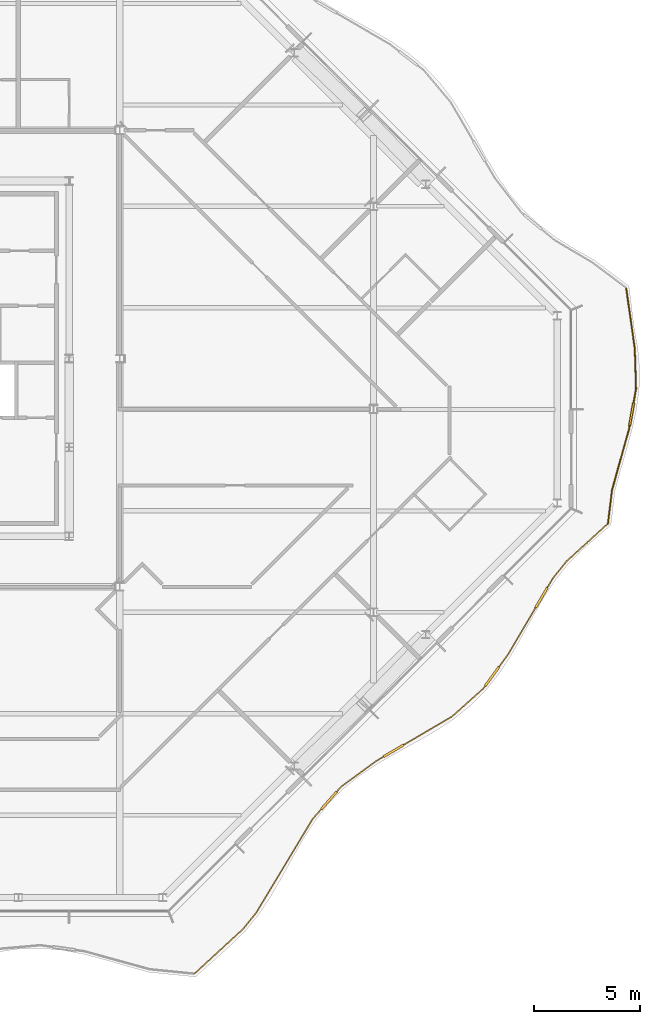
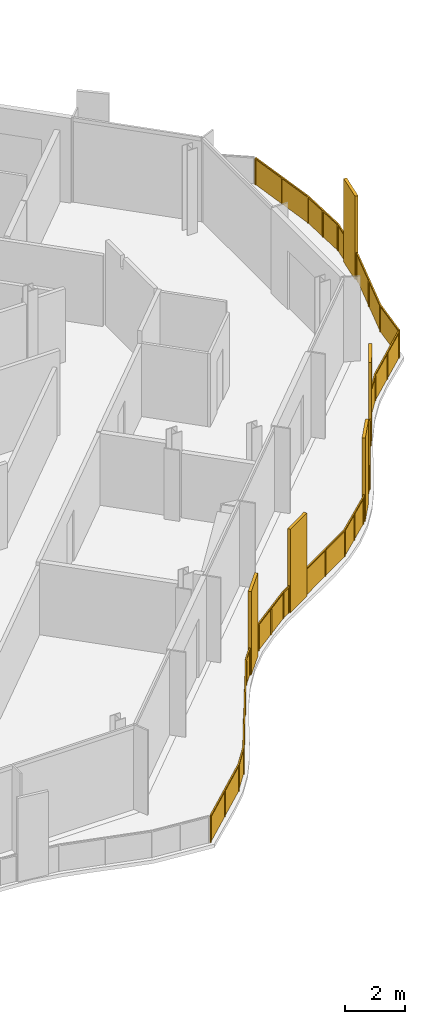
# One storey, part 14 of 16: 2 railings.
"""IFC4 building model written with IfcOpenShell, lengths in metres."""

from ifc_helpers import new_model, si_unit, direction, frame, origin, origin_2d, place, context, subcontext, project, spatial, polyline, rectangle, outline, extrude, material, type_object, element, save


model = new_model("IFC4")

# Units and contexts
model_context = context("Model", 3, precision=1e-05, world=origin(), true_north=direction((0.0, 1.0)))
body_context = subcontext(model_context, "Body", "Model", "MODEL_VIEW")
ifc_project = project(units=[si_unit("LENGTHUNIT", "METRE"), si_unit("AREAUNIT", "SQUARE_METRE"), si_unit("VOLUMEUNIT", "CUBIC_METRE"), si_unit("PLANEANGLEUNIT", "RADIAN"), si_unit("MASSUNIT", "GRAM", prefix="KILO")], contexts=[model_context])

# Site, building, storey
site_placement = place(None, origin())
site = spatial("IfcSite", under=ifc_project, at=site_placement, CompositionType="ELEMENT")
building_placement = place(site_placement, origin())
building = spatial("IfcBuilding", under=site, at=building_placement, Name="Cairn Pilgrim Tower", CompositionType="ELEMENT")
storey_placement = place(building_placement, frame((0.0, 0.0, 288.60009765625)))
storey = spatial("IfcBuildingStorey", under=building, at=storey_placement, Name="L74", CompositionType="ELEMENT", Elevation=288.60009765625)

# Railings
ifc_material = material(Name="Bronze anodised aluminium rail, posts and fin screens with laminated glass infill", Category="aluminium")
railing_type = type_object("IfcRailingType", Name="BALCONY GUARD WITH FIN SCREENS", PredefinedType="GUARDRAIL", material=ifc_material)
railing_1_placement = place(storey_placement, frame((22.731201171875, -26.70068359375, 0.0)))
element("IfcRailing", 1, at=railing_1_placement, inside=storey, type_object=railing_type, Name="Balcony guard BGF-2 with fin screens", PredefinedType="GUARDRAIL", context=body_context, shape_type="SweptSolid", body=[
    extrude(rectangle(XDim=0.050048828125, YDim=0.050048828125, at=origin_2d()), frame((0.0, 0.0, 1.0751953125), z_axis=(0.736035519042, 0.676942918353, 0.0), x_axis=(-0.676942918353, 0.736035519042, 0.0)), (0.0, 0.0, 1.0), 3.119384765625),
    extrude(rectangle(XDim=0.050048828125, YDim=0.050048828125, at=origin_2d()), frame((2.2958984375, 2.111572265625, 1.0751953125), z_axis=(0.631112629653, 0.775691207048, 0.0), x_axis=(-0.775691207048, 0.631112629653, 0.0)), (0.0, 0.0, 1.0), 0.989501953125),
    extrude(rectangle(XDim=0.050048828125, YDim=0.050048828125, at=origin_2d()), frame((2.92041015625, 2.879150390625, 1.0751953125), z_axis=(0.515416428807, 0.856939849065, 0.0), x_axis=(-0.856939849065, 0.515416428807, 0.0)), (0.0, 0.0, 1.0), 5.184814453125),
    extrude(rectangle(XDim=1.10009765625, YDim=0.110107421875, at=origin_2d()), frame((6.365966796875, 8.19677734375, 0.0), z_axis=(0.0, 0.0, 1.0), x_axis=(0.662442503905, 0.749112761219, 0.0)), (0.0, 0.0, 1.0), 3.39990234375),
    extrude(rectangle(XDim=0.050048828125, YDim=0.050048828125, at=origin_2d()), frame((5.5927734375, 7.322265625, 1.0751953125), z_axis=(0.662442503905, 0.749112761219, 0.0), x_axis=(-0.749112761219, 0.662442503905, 0.0)), (0.0, 0.0, 1.0), 0.617431640625),
    extrude(rectangle(XDim=0.050048828125, YDim=0.050048828125, at=origin_2d()), frame((6.73046875, 8.608642578125, 1.0751953125), z_axis=(0.662442503905, 0.749112761219, 0.0), x_axis=(-0.749112761219, 0.662442503905, 0.0)), (0.0, 0.0, 1.0), 0.32763671875),
    extrude(rectangle(XDim=0.050048828125, YDim=0.050048828125, at=origin_2d()), frame((6.947509765625, 8.854248046875, 1.0751953125), z_axis=(0.807560511002, 0.589784724345, 0.0), x_axis=(-0.589784724345, 0.807560511002, 0.0)), (0.0, 0.0, 1.0), 2.059326171875),
    extrude(rectangle(XDim=1.10009765625, YDim=0.110107421875, at=origin_2d()), frame((9.42529296875, 10.547119140625, 0.0), z_axis=(0.0, 0.0, 1.0), x_axis=(0.862375574719, 0.506269066927, 0.0)), (0.0, 0.0, 1.0), 3.39990234375),
    extrude(rectangle(XDim=0.050048828125, YDim=0.050048828125, at=origin_2d()), frame((8.610595703125, 10.06884765625, 1.0751953125), z_axis=(0.862375574719, 0.506269066927, 0.0), x_axis=(-0.506269066927, 0.862375574719, 0.0)), (0.0, 0.0, 1.0), 0.394775390625),
    extrude(rectangle(XDim=0.050048828125, YDim=0.050048828125, at=origin_2d()), frame((9.899658203125, 10.825439453125, 1.0751953125), z_axis=(0.862375574719, 0.506269066927, 0.0), x_axis=(-0.506269066927, 0.862375574719, 0.0)), (0.0, 0.0, 1.0), 2.654541015625),
    extrude(rectangle(XDim=0.050048828125, YDim=0.050048828125, at=origin_2d()), frame((12.188720703125, 12.16943359375, 1.0751953125), z_axis=(0.745749790549, 0.666226125198, 0.0), x_axis=(-0.666226125198, 0.745749790549, 0.0)), (0.0, 0.0, 1.0), 1.983154296875),
    extrude(rectangle(XDim=1.10009765625, YDim=0.110107421875, at=origin_2d()), frame((14.078369140625, 14.057861328125, 0.0), z_axis=(0.0, 0.0, 1.0), x_axis=(0.586433018514, 0.80999772518, 0.0)), (0.0, 0.0, 1.0), 3.39990234375),
    extrude(rectangle(XDim=0.050048828125, YDim=0.050048828125, at=origin_2d()), frame((13.667724609375, 13.49072265625, 1.0751953125), z_axis=(0.586433018514, 0.80999772518, 0.0), x_axis=(-0.80999772518, 0.586433018514, 0.0)), (0.0, 0.0, 1.0), 0.150146484375),
    extrude(rectangle(XDim=0.050048828125, YDim=0.050048828125, at=origin_2d()), frame((14.40087890625, 14.503173828125, 1.0751953125), z_axis=(0.586433018514, 0.80999772518, 0.0), x_axis=(-0.80999772518, 0.586433018514, 0.0)), (0.0, 0.0, 1.0), 0.763671875),
    extrude(rectangle(XDim=1.10009765625, YDim=0.110107421875, at=origin_2d()), frame((16.415771484375, 17.785888671875, 0.0), z_axis=(0.0, 0.0, 1.0), x_axis=(0.507053471356, 0.861914599706, 0.0)), (0.0, 0.0, 1.0), 3.39990234375),
    extrude(rectangle(XDim=0.050048828125, YDim=0.050048828125, at=origin_2d()), frame((14.8486328125, 15.121826171875, 1.0751953125), z_axis=(0.507053471356, 0.861914599706, 0.0), x_axis=(-0.861914599706, 0.507053471356, 0.0)), (0.0, 0.0, 1.0), 2.540771484375),
    extrude(rectangle(XDim=0.050048828125, YDim=0.050048828125, at=origin_2d()), frame((16.69482421875, 18.260009765625, 1.0751953125), z_axis=(0.507053471356, 0.861914599706, 0.0), x_axis=(-0.861914599706, 0.507053471356, 0.0)), (0.0, 0.0, 1.0), 0.518798828125),
    extrude(rectangle(XDim=0.050048828125, YDim=0.050048828125, at=origin_2d()), frame((16.957763671875, 18.70703125, 1.0751953125), z_axis=(0.627226097373, 0.778837224826, 0.0), x_axis=(-0.778837224826, 0.627226097373, 0.0)), (0.0, 0.0, 1.0), 1.033935546875),
    extrude(rectangle(XDim=0.050048828125, YDim=0.050048828125, at=origin_2d()), frame((17.606201171875, 19.51220703125, 1.0751953125), z_axis=(0.738683601724, 0.674052324782, 0.0), x_axis=(-0.674052324782, 0.738683601724, 0.0)), (0.0, 0.0, 1.0), 2.587646484375),
    extrude(rectangle(XDim=0.050048828125, YDim=0.050048828125, at=origin_2d()), origin(), (0.0, 0.0, 1.0), 1.050048828125),
    extrude(rectangle(XDim=0.050048828125, YDim=0.050048828125, at=origin_2d()), frame((1.14794921875, 1.0556640625, 0.0)), (0.0, 0.0, 1.0), 1.050048828125),
    extrude(rectangle(XDim=0.050048828125, YDim=0.050048828125, at=origin_2d()), frame((2.2958984375, 2.111572265625, 0.0)), (0.0, 0.0, 1.0), 1.050048828125),
    extrude(rectangle(XDim=0.050048828125, YDim=0.050048828125, at=origin_2d()), frame((2.92041015625, 2.879150390625, 0.0)), (0.0, 0.0, 1.0), 1.050048828125),
    extrude(rectangle(XDim=0.050048828125, YDim=0.050048828125, at=origin_2d()), frame((3.811279296875, 4.360107421875, 0.0)), (0.0, 0.0, 1.0), 1.050048828125),
    extrude(rectangle(XDim=0.050048828125, YDim=0.050048828125, at=origin_2d()), frame((4.701904296875, 5.84130859375, 0.0)), (0.0, 0.0, 1.0), 1.050048828125),
    extrude(rectangle(XDim=0.050048828125, YDim=0.050048828125, at=origin_2d()), frame((5.5927734375, 7.322265625, 0.0)), (0.0, 0.0, 1.0), 1.050048828125),
    extrude(rectangle(XDim=0.050048828125, YDim=0.050048828125, at=origin_2d()), frame((5.985107421875, 7.765869140625, 0.0)), (0.0, 0.0, 1.0), 1.050048828125),
    extrude(rectangle(XDim=0.050048828125, YDim=0.050048828125, at=origin_2d()), frame((6.7470703125, 8.62744140625, 0.0)), (0.0, 0.0, 1.0), 1.050048828125),
    extrude(rectangle(XDim=0.050048828125, YDim=0.050048828125, at=origin_2d()), frame((6.947509765625, 8.854248046875, 0.0)), (0.0, 0.0, 1.0), 1.050048828125),
    extrude(rectangle(XDim=0.050048828125, YDim=0.050048828125, at=origin_2d()), frame((7.779052734375, 9.46142578125, 0.0)), (0.0, 0.0, 1.0), 1.050048828125),
    extrude(rectangle(XDim=0.050048828125, YDim=0.050048828125, at=origin_2d()), frame((8.610595703125, 10.06884765625, 0.0)), (0.0, 0.0, 1.0), 1.050048828125),
    extrude(rectangle(XDim=0.050048828125, YDim=0.050048828125, at=origin_2d()), frame((8.929443359375, 10.256103515625, 0.0)), (0.0, 0.0, 1.0), 1.050048828125),
    extrude(rectangle(XDim=0.050048828125, YDim=0.050048828125, at=origin_2d()), frame((9.921142578125, 10.838134765625, 0.0)), (0.0, 0.0, 1.0), 1.050048828125),
    extrude(rectangle(XDim=0.050048828125, YDim=0.050048828125, at=origin_2d()), frame((11.054931640625, 11.50390625, 0.0)), (0.0, 0.0, 1.0), 1.050048828125),
    extrude(rectangle(XDim=0.050048828125, YDim=0.050048828125, at=origin_2d()), frame((12.188720703125, 12.16943359375, 0.0)), (0.0, 0.0, 1.0), 1.050048828125),
    extrude(rectangle(XDim=0.050048828125, YDim=0.050048828125, at=origin_2d()), frame((12.92822265625, 12.830078125, 0.0)), (0.0, 0.0, 1.0), 1.050048828125),
    extrude(rectangle(XDim=0.050048828125, YDim=0.050048828125, at=origin_2d()), frame((13.667724609375, 13.49072265625, 0.0)), (0.0, 0.0, 1.0), 1.050048828125),
    extrude(rectangle(XDim=0.050048828125, YDim=0.050048828125, at=origin_2d()), frame((13.740966796875, 13.592041015625, 0.0)), (0.0, 0.0, 1.0), 1.050048828125),
    extrude(rectangle(XDim=0.050048828125, YDim=0.050048828125, at=origin_2d()), frame((14.41552734375, 14.5234375, 0.0)), (0.0, 0.0, 1.0), 1.050048828125),
    extrude(rectangle(XDim=0.050048828125, YDim=0.050048828125, at=origin_2d()), frame((14.8486328125, 15.121826171875, 0.0)), (0.0, 0.0, 1.0), 1.050048828125),
    extrude(rectangle(XDim=0.050048828125, YDim=0.050048828125, at=origin_2d()), frame((15.486572265625, 16.2060546875, 0.0)), (0.0, 0.0, 1.0), 1.050048828125),
    extrude(rectangle(XDim=0.050048828125, YDim=0.050048828125, at=origin_2d()), frame((16.124267578125, 17.290283203125, 0.0)), (0.0, 0.0, 1.0), 1.050048828125),
    extrude(rectangle(XDim=0.050048828125, YDim=0.050048828125, at=origin_2d()), frame((16.70751953125, 18.281494140625, 0.0)), (0.0, 0.0, 1.0), 1.050048828125),
    extrude(rectangle(XDim=0.050048828125, YDim=0.050048828125, at=origin_2d()), frame((16.957763671875, 18.70703125, 0.0)), (0.0, 0.0, 1.0), 1.050048828125),
    extrude(rectangle(XDim=0.050048828125, YDim=0.050048828125, at=origin_2d()), frame((17.606201171875, 19.51220703125, 0.0)), (0.0, 0.0, 1.0), 1.050048828125),
    extrude(rectangle(XDim=0.050048828125, YDim=0.050048828125, at=origin_2d()), frame((18.56201171875, 20.38427734375, 0.0)), (0.0, 0.0, 1.0), 1.050048828125),
    extrude(rectangle(XDim=0.050048828125, YDim=0.050048828125, at=origin_2d()), frame((19.517578125, 21.25634765625, 0.0)), (0.0, 0.0, 1.0), 1.050048828125),
    extrude(outline(polyline([(0.02490234375, 0.0), (1.53466796875, 0.0), (1.53466796875, 1.050048828125), (0.02490234375, 1.050048828125), (0.02490234375, 0.0)])), frame((-0.004150390625, 0.00439453125, 0.0), z_axis=(0.676942918353, -0.736035519042, 0.0), x_axis=(0.736035519042, 0.676942918353, 0.0)), (0.0, 0.0, 1.0), 0.011962890625),
    extrude(outline(polyline([(0.02490234375, 0.0), (1.53466796875, 0.0), (1.53466796875, 1.050048828125), (0.02490234375, 1.050048828125), (0.02490234375, 0.0)])), frame((1.143798828125, 1.060302734375, 0.0), z_axis=(0.676942918353, -0.736035519042, 0.0), x_axis=(0.736035519042, 0.676942918353, 0.0)), (0.0, 0.0, 1.0), 0.011962890625),
    extrude(outline(polyline([(0.02490234375, 0.0), (0.964599609375, 0.0), (0.964599609375, 1.050048828125), (0.02490234375, 1.050048828125), (0.02490234375, 0.0)])), frame((2.291259765625, 2.115234375, 0.0), z_axis=(0.775691207048, -0.631112629653, 0.0), x_axis=(0.631112629653, 0.775691207048, 0.0)), (0.0, 0.0, 1.0), 0.011962890625),
    extrude(outline(polyline([(0.02490234375, 0.0), (1.703369140625, 0.0), (1.703369140625, 1.050048828125), (0.02490234375, 1.050048828125), (0.02490234375, 0.0)])), frame((2.915283203125, 2.88232421875, 0.0), z_axis=(0.856939849065, -0.515416428807, 0.0), x_axis=(0.515416428807, 0.856939849065, 0.0)), (0.0, 0.0, 1.0), 0.011962890625),
    extrude(outline(polyline([(0.02490234375, 0.0), (1.703369140625, 0.0), (1.703369140625, 1.050048828125), (0.02490234375, 1.050048828125), (0.02490234375, 0.0)])), frame((3.80615234375, 4.36328125, 0.0), z_axis=(0.856939849065, -0.515416428807, 0.0), x_axis=(0.515416428807, 0.856939849065, 0.0)), (0.0, 0.0, 1.0), 0.011962890625),
    extrude(outline(polyline([(0.02490234375, 0.0), (1.703369140625, 0.0), (1.703369140625, 1.050048828125), (0.02490234375, 1.050048828125), (0.02490234375, 0.0)])), frame((4.69677734375, 5.84423828125, 0.0), z_axis=(0.856939849065, -0.515416428807, 0.0), x_axis=(0.515416428807, 0.856939849065, 0.0)), (0.0, 0.0, 1.0), 0.011962890625),
    extrude(outline(polyline([(0.02490234375, 0.0), (0.5673828125, 0.0), (0.5673828125, 1.050048828125), (0.02490234375, 1.050048828125), (0.02490234375, 0.0)])), frame((5.58837890625, 7.326171875, 0.0), z_axis=(0.749112761219, -0.662442503905, 0.0), x_axis=(0.662442503905, 0.749112761219, 0.0)), (0.0, 0.0, 1.0), 0.011962890625),
    extrude(outline(polyline([(0.02490234375, 0.0), (0.277587890625, 0.0), (0.277587890625, 1.050048828125), (0.02490234375, 1.050048828125), (0.02490234375, 0.0)])), frame((6.742431640625, 8.63134765625, 0.0), z_axis=(0.749112761219, -0.662442503905, 0.0), x_axis=(0.662442503905, 0.749112761219, 0.0)), (0.0, 0.0, 1.0), 0.011962890625),
    extrude(outline(polyline([(0.02490234375, 0.0), (1.004638671875, 0.0), (1.004638671875, 1.050048828125), (0.02490234375, 1.050048828125), (0.02490234375, 0.0)])), frame((6.944091796875, 8.859130859375, 0.0), z_axis=(0.589784724345, -0.807560511002, 0.0), x_axis=(0.807560511002, 0.589784724345, 0.0)), (0.0, 0.0, 1.0), 0.011962890625),
    extrude(outline(polyline([(0.02490234375, 0.0), (1.004638671875, 0.0), (1.004638671875, 1.050048828125), (0.02490234375, 1.050048828125), (0.02490234375, 0.0)])), frame((7.775634765625, 9.46630859375, 0.0), z_axis=(0.589784724345, -0.807560511002, 0.0), x_axis=(0.807560511002, 0.589784724345, 0.0)), (0.0, 0.0, 1.0), 0.011962890625),
    extrude(outline(polyline([(0.02490234375, 0.0), (0.3447265625, 0.0), (0.3447265625, 1.050048828125), (0.02490234375, 1.050048828125), (0.02490234375, 0.0)])), frame((8.607666015625, 10.073974609375, 0.0), z_axis=(0.506269066927, -0.862375574719, 0.0), x_axis=(0.862375574719, 0.506269066927, 0.0)), (0.0, 0.0, 1.0), 0.011962890625),
    extrude(outline(polyline([(0.02490234375, 0.0), (1.289794921875, 0.0), (1.289794921875, 1.050048828125), (0.02490234375, 1.050048828125), (0.02490234375, 0.0)])), frame((9.918212890625, 10.84326171875, 0.0), z_axis=(0.506269066927, -0.862375574719, 0.0), x_axis=(0.862375574719, 0.506269066927, 0.0)), (0.0, 0.0, 1.0), 0.011962890625),
    extrude(outline(polyline([(0.02490234375, 0.0), (1.289794921875, 0.0), (1.289794921875, 1.050048828125), (0.02490234375, 1.050048828125), (0.02490234375, 0.0)])), frame((11.052001953125, 11.509033203125, 0.0), z_axis=(0.506269066927, -0.862375574719, 0.0), x_axis=(0.862375574719, 0.506269066927, 0.0)), (0.0, 0.0, 1.0), 0.011962890625),
    extrude(outline(polyline([(0.02490234375, 0.0), (0.966552734375, 0.0), (0.966552734375, 1.050048828125), (0.02490234375, 1.050048828125), (0.02490234375, 0.0)])), frame((12.184814453125, 12.173828125, 0.0), z_axis=(0.666226125198, -0.745749790549, 0.0), x_axis=(0.745749790549, 0.666226125198, 0.0)), (0.0, 0.0, 1.0), 0.011962890625),
    extrude(outline(polyline([(0.02490234375, 0.0), (0.966552734375, 0.0), (0.966552734375, 1.050048828125), (0.02490234375, 1.050048828125), (0.02490234375, 0.0)])), frame((12.92431640625, 12.83447265625, 0.0), z_axis=(0.666226125198, -0.745749790549, 0.0), x_axis=(0.745749790549, 0.666226125198, 0.0)), (0.0, 0.0, 1.0), 0.011962890625),
    extrude(outline(polyline([(0.02490234375, 0.0), (0.10009765625, 0.0), (0.10009765625, 1.050048828125), (0.02490234375, 1.050048828125), (0.02490234375, 0.0)])), frame((13.662841796875, 13.494140625, 0.0), z_axis=(0.80999772518, -0.586433018514, 0.0), x_axis=(0.586433018514, 0.80999772518, 0.0)), (0.0, 0.0, 1.0), 0.011962890625),
    extrude(outline(polyline([(0.02490234375, 0.0), (0.713623046875, 0.0), (0.713623046875, 1.050048828125), (0.02490234375, 1.050048828125), (0.02490234375, 0.0)])), frame((14.41064453125, 14.527099609375, 0.0), z_axis=(0.80999772518, -0.586433018514, 0.0), x_axis=(0.586433018514, 0.80999772518, 0.0)), (0.0, 0.0, 1.0), 0.011962890625),
    extrude(outline(polyline([(0.02490234375, 0.0), (1.23291015625, 0.0), (1.23291015625, 1.050048828125), (0.02490234375, 1.050048828125), (0.02490234375, 0.0)])), frame((14.843505859375, 15.124755859375, 0.0), z_axis=(0.861914599706, -0.507053471356, 0.0), x_axis=(0.507053471356, 0.861914599706, 0.0)), (0.0, 0.0, 1.0), 0.011962890625),
    extrude(outline(polyline([(0.02490234375, 0.0), (1.23291015625, 0.0), (1.23291015625, 1.050048828125), (0.02490234375, 1.050048828125), (0.02490234375, 0.0)])), frame((15.481201171875, 16.208984375, 0.0), z_axis=(0.861914599706, -0.507053471356, 0.0), x_axis=(0.507053471356, 0.861914599706, 0.0)), (0.0, 0.0, 1.0), 0.011962890625),
    extrude(outline(polyline([(0.02490234375, 0.0), (0.46875, 0.0), (0.46875, 1.050048828125), (0.02490234375, 1.050048828125), (0.02490234375, 0.0)])), frame((16.702392578125, 18.284423828125, 0.0), z_axis=(0.861914599706, -0.507053471356, 0.0), x_axis=(0.507053471356, 0.861914599706, 0.0)), (0.0, 0.0, 1.0), 0.011962890625),
    extrude(outline(polyline([(0.02490234375, 0.0), (1.0087890625, 0.0), (1.0087890625, 1.050048828125), (0.02490234375, 1.050048828125), (0.02490234375, 0.0)])), frame((16.953125, 18.710693359375, 0.0), z_axis=(0.778837224826, -0.627226097373, 0.0), x_axis=(0.627226097373, 0.778837224826, 0.0)), (0.0, 0.0, 1.0), 0.011962890625),
    extrude(outline(polyline([(0.02490234375, 0.0), (1.268798828125, 0.0), (1.268798828125, 1.050048828125), (0.02490234375, 1.050048828125), (0.02490234375, 0.0)])), frame((17.60205078125, 19.5166015625, 0.0), z_axis=(0.674052324782, -0.738683601724, 0.0), x_axis=(0.738683601724, 0.674052324782, 0.0)), (0.0, 0.0, 1.0), 0.011962890625),
    extrude(outline(polyline([(0.02490234375, 0.0), (1.268798828125, 0.0), (1.268798828125, 1.050048828125), (0.02490234375, 1.050048828125), (0.02490234375, 0.0)])), frame((18.557861328125, 20.388671875, 0.0), z_axis=(0.674052324782, -0.738683601724, 0.0), x_axis=(0.738683601724, 0.674052324782, 0.0)), (0.0, 0.0, 1.0), 0.011962890625),
])
railing_2_placement = place(storey_placement, frame((42.29296875, -5.40380859375, 0.0)))
element("IfcRailing", 2, at=railing_2_placement, inside=storey, type_object=railing_type, Name="Balcony guard BGF-3 with fin screens", PredefinedType="GUARDRAIL", context=body_context, shape_type="SweptSolid", body=[
    extrude(rectangle(XDim=0.050048828125, YDim=0.050048828125, at=origin_2d()), frame((0.0, 0.0, 1.0751953125), z_axis=(0.122125237926, 0.99251469826, 0.0), x_axis=(-0.99251469826, 0.122125237926, 0.0)), (0.0, 0.0, 1.0), 1.605224609375),
    extrude(rectangle(XDim=0.050048828125, YDim=0.050048828125, at=origin_2d()), frame((0.196044921875, 1.59326171875, 1.0751953125), z_axis=(0.268791929792, 0.963198265405, 0.0), x_axis=(-0.963198265405, 0.268791929792, 0.0)), (0.0, 0.0, 1.0), 2.99365234375),
    extrude(rectangle(XDim=1.10009765625, YDim=0.110107421875, at=origin_2d()), frame((1.120361328125, 5.166748046875, 0.0), z_axis=(0.0, 0.0, 1.0), x_axis=(0.170747342977, 0.985314845553, 0.0)), (0.0, 0.0, 1.0), 3.39990234375),
    extrude(rectangle(XDim=0.050048828125, YDim=0.050048828125, at=origin_2d()), frame((1.000732421875, 4.476806640625, 1.0751953125), z_axis=(0.170747342977, 0.985314845553, 0.0), x_axis=(-0.985314845553, 0.170747342977, 0.0)), (0.0, 0.0, 1.0), 0.150146484375),
    extrude(rectangle(XDim=0.050048828125, YDim=0.050048828125, at=origin_2d()), frame((1.214111328125, 5.70849609375, 1.0751953125), z_axis=(0.170747342977, 0.985314845553, 0.0), x_axis=(-0.985314845553, 0.170747342977, 0.0)), (0.0, 0.0, 1.0), 0.67578125),
    extrude(rectangle(XDim=0.050048828125, YDim=0.050048828125, at=origin_2d()), frame((1.32958984375, 6.37451171875, 1.0751953125), z_axis=(-0.030752698084, 0.999527023927, 0.0), x_axis=(-0.999527023927, -0.030752698084, 0.0)), (0.0, 0.0, 1.0), 1.8974609375),
    extrude(rectangle(XDim=0.050048828125, YDim=0.050048828125, at=origin_2d()), frame((1.271240234375, 8.27099609375, 1.0751953125), z_axis=(-0.140450714772, 0.990087671229, 0.0), x_axis=(-0.990087671229, -0.140450714772, 0.0)), (0.0, 0.0, 1.0), 2.8525390625),
    extrude(rectangle(XDim=0.050048828125, YDim=0.050048828125, at=origin_2d()), origin(), (0.0, 0.0, 1.0), 1.050048828125),
    extrude(rectangle(XDim=0.050048828125, YDim=0.050048828125, at=origin_2d()), frame((0.196044921875, 1.59326171875, 0.0)), (0.0, 0.0, 1.0), 1.050048828125),
    extrude(rectangle(XDim=0.050048828125, YDim=0.050048828125, at=origin_2d()), frame((0.598388671875, 3.03515625, 0.0)), (0.0, 0.0, 1.0), 1.050048828125),
    extrude(rectangle(XDim=0.050048828125, YDim=0.050048828125, at=origin_2d()), frame((1.000732421875, 4.476806640625, 0.0)), (0.0, 0.0, 1.0), 1.050048828125),
    extrude(rectangle(XDim=0.050048828125, YDim=0.050048828125, at=origin_2d()), frame((1.02197265625, 4.60009765625, 0.0)), (0.0, 0.0, 1.0), 1.050048828125),
    extrude(rectangle(XDim=0.050048828125, YDim=0.050048828125, at=origin_2d()), frame((1.218505859375, 5.733154296875, 0.0)), (0.0, 0.0, 1.0), 1.050048828125),
    extrude(rectangle(XDim=0.050048828125, YDim=0.050048828125, at=origin_2d()), frame((1.32958984375, 6.37451171875, 0.0)), (0.0, 0.0, 1.0), 1.050048828125),
    extrude(rectangle(XDim=0.050048828125, YDim=0.050048828125, at=origin_2d()), frame((1.30029296875, 7.32275390625, 0.0)), (0.0, 0.0, 1.0), 1.050048828125),
    extrude(rectangle(XDim=0.050048828125, YDim=0.050048828125, at=origin_2d()), frame((1.271240234375, 8.27099609375, 0.0)), (0.0, 0.0, 1.0), 1.050048828125),
    extrude(rectangle(XDim=0.050048828125, YDim=0.050048828125, at=origin_2d()), frame((1.07080078125, 9.68310546875, 0.0)), (0.0, 0.0, 1.0), 1.050048828125),
    extrude(rectangle(XDim=0.050048828125, YDim=0.050048828125, at=origin_2d()), frame((0.87060546875, 11.09521484375, 0.0)), (0.0, 0.0, 1.0), 1.050048828125),
    extrude(outline(polyline([(0.02490234375, 0.0), (1.580322265625, 0.0), (1.580322265625, 1.050048828125), (0.02490234375, 1.050048828125), (0.02490234375, 0.0)])), frame((-0.005859375, 0.000732421875, 0.0), z_axis=(0.99251469826, -0.122125237926, 0.0), x_axis=(0.122125237926, 0.99251469826, 0.0)), (0.0, 0.0, 1.0), 0.011962890625),
    extrude(outline(polyline([(0.02490234375, 0.0), (1.471923828125, 0.0), (1.471923828125, 1.050048828125), (0.02490234375, 1.050048828125), (0.02490234375, 0.0)])), frame((0.190185546875, 1.594970703125, 0.0), z_axis=(0.963198265405, -0.268791929792, 0.0), x_axis=(0.268791929792, 0.963198265405, 0.0)), (0.0, 0.0, 1.0), 0.011962890625),
    extrude(outline(polyline([(0.02490234375, 0.0), (1.471923828125, 0.0), (1.471923828125, 1.050048828125), (0.02490234375, 1.050048828125), (0.02490234375, 0.0)])), frame((0.592529296875, 3.03662109375, 0.0), z_axis=(0.963198265405, -0.268791929792, 0.0), x_axis=(0.268791929792, 0.963198265405, 0.0)), (0.0, 0.0, 1.0), 0.011962890625),
    extrude(outline(polyline([(0.02490234375, 0.0), (0.10009765625, 0.0), (0.10009765625, 1.050048828125), (0.02490234375, 1.050048828125), (0.02490234375, 0.0)])), frame((0.994873046875, 4.477783203125, 0.0), z_axis=(0.985314845553, -0.170747342977, 0.0), x_axis=(0.170747342977, 0.985314845553, 0.0)), (0.0, 0.0, 1.0), 0.011962890625),
    extrude(outline(polyline([(0.02490234375, 0.0), (0.625732421875, 0.0), (0.625732421875, 1.050048828125), (0.02490234375, 1.050048828125), (0.02490234375, 0.0)])), frame((1.212646484375, 5.734130859375, 0.0), z_axis=(0.985314845553, -0.170747342977, 0.0), x_axis=(0.170747342977, 0.985314845553, 0.0)), (0.0, 0.0, 1.0), 0.011962890625),
    extrude(outline(polyline([(0.02490234375, 0.0), (0.923583984375, 0.0), (0.923583984375, 1.050048828125), (0.02490234375, 1.050048828125), (0.02490234375, 0.0)])), frame((1.32373046875, 6.374267578125, 0.0), z_axis=(0.999527023927, 0.030752698084, 0.0), x_axis=(-0.030752698084, 0.999527023927, 0.0)), (0.0, 0.0, 1.0), 0.011962890625),
    extrude(outline(polyline([(0.02490234375, 0.0), (0.923583984375, 0.0), (0.923583984375, 1.050048828125), (0.02490234375, 1.050048828125), (0.02490234375, 0.0)])), frame((1.29443359375, 7.322509765625, 0.0), z_axis=(0.999527023927, 0.030752698084, 0.0), x_axis=(-0.030752698084, 0.999527023927, 0.0)), (0.0, 0.0, 1.0), 0.011962890625),
    extrude(outline(polyline([(0.02490234375, 0.0), (1.401123046875, 0.0), (1.401123046875, 1.050048828125), (0.02490234375, 1.050048828125), (0.02490234375, 0.0)])), frame((1.265380859375, 8.270263671875, 0.0), z_axis=(0.990087671229, 0.140450714772, 0.0), x_axis=(-0.140450714772, 0.990087671229, 0.0)), (0.0, 0.0, 1.0), 0.011962890625),
    extrude(outline(polyline([(0.02490234375, 0.0), (1.401123046875, 0.0), (1.401123046875, 1.050048828125), (0.02490234375, 1.050048828125), (0.02490234375, 0.0)])), frame((1.06494140625, 9.682373046875, 0.0), z_axis=(0.990087671229, 0.140450714772, 0.0), x_axis=(-0.140450714772, 0.990087671229, 0.0)), (0.0, 0.0, 1.0), 0.011962890625),
])

save(model, "model.ifc")
